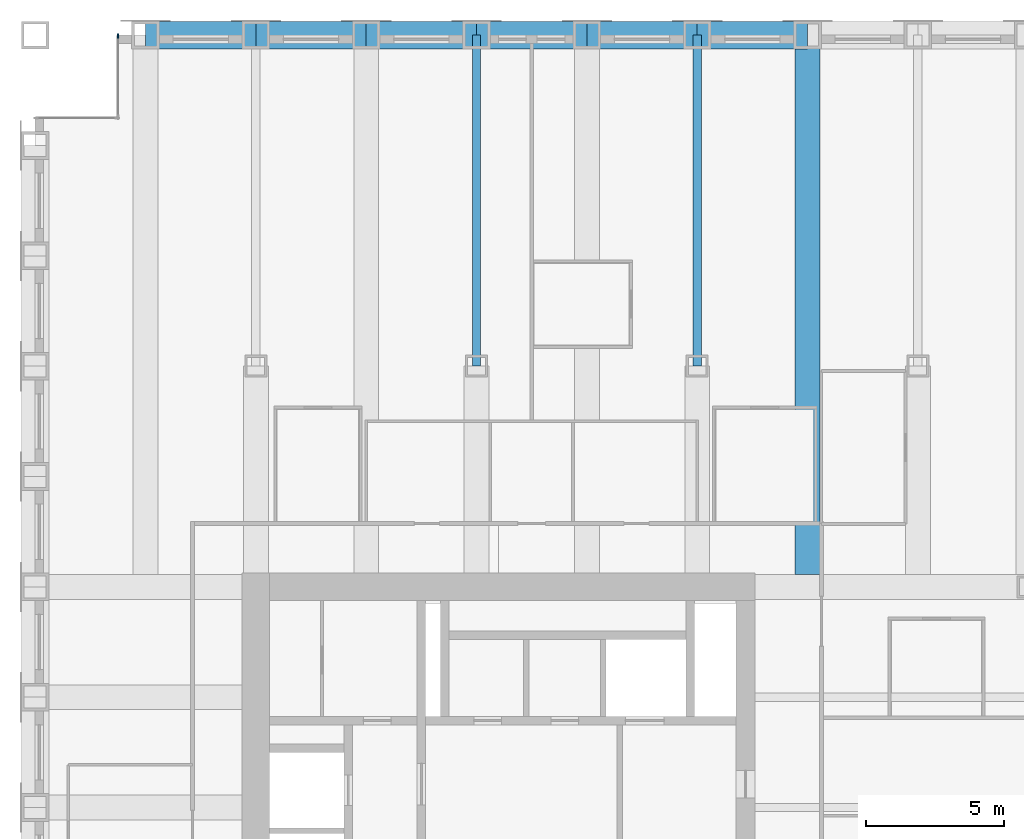
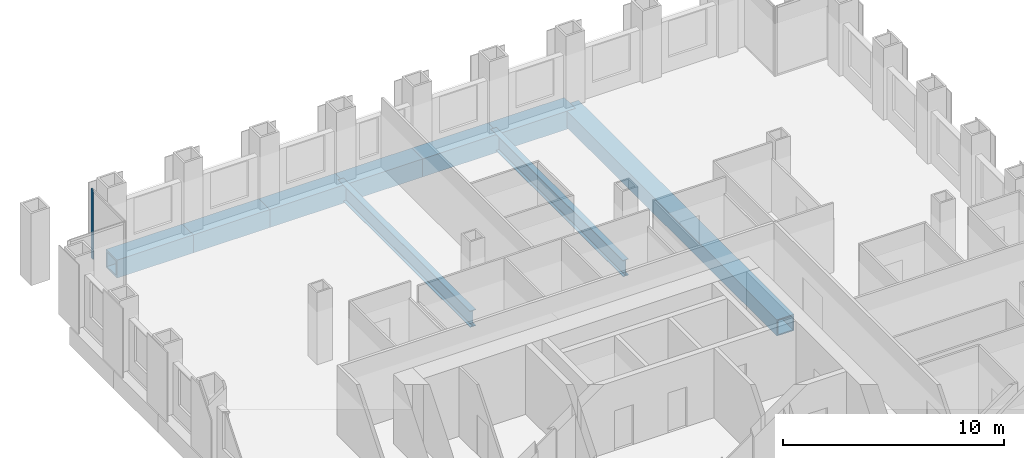
# One storey, part 6 of 14: 9 beams, 1 member, 1 element without a shape of its own.
"""IFC4 building model written with IfcOpenShell, lengths in metres."""

from ifc_helpers import new_model, si_unit, direction, frame, origin, origin_2d, place, context, subcontext, project, spatial, rectangle, hollow_rectangle, i_section, extrude, material, material_profile, profile_set, type_object, element, aggregate, save


model = new_model("IFC4")

# Units and contexts
model_context = context("Model", 3, precision=1e-05, world=origin(), true_north=direction((0.0, 1.0)))
body_context = subcontext(model_context, "Body", "Model", "MODEL_VIEW")
ifc_project = project(units=[si_unit("LENGTHUNIT", "METRE"), si_unit("AREAUNIT", "SQUARE_METRE"), si_unit("VOLUMEUNIT", "CUBIC_METRE"), si_unit("PLANEANGLEUNIT", "RADIAN"), si_unit("MASSUNIT", "GRAM", prefix="KILO")], contexts=[model_context])

# Site, building, storey
site_placement = place(None, origin())
site = spatial("IfcSite", under=ifc_project, at=site_placement, CompositionType="ELEMENT")
building_placement = place(site_placement, origin())
building = spatial("IfcBuilding", under=site, at=building_placement, Name="Rimbunsela Tower", CompositionType="ELEMENT")
storey_placement = place(building_placement, frame((0.0, 0.0, 226.199951171875)))
storey = spatial("IfcBuildingStorey", under=building, at=storey_placement, Name="L54", CompositionType="ELEMENT", Elevation=226.199951171875)

# Beams
ifc_material_1 = material(Name="Steel BJ 55 (fy 410 MPa)", Category="steel")
ifc_material_profile_1 = material_profile(ifc_material_1, hollow_rectangle(XDim=1.0, YDim=1.0, WallThickness=0.10009765625, at=origin_2d()), Name="BOX 1000x1000x100")
ifc_profile_set_1 = profile_set([ifc_material_profile_1], Name="Steel BJ 55 (fy 410 MPa)")
beam_type_1 = type_object("IfcBeamType", Name="Beam BOX 1000x1000x100", PredefinedType="BEAM", material=ifc_profile_set_1)
for number, where, z_axis, x_axis, name in (
    (1, (14.0, 56.0, -0.64990234375), (1.0, 0.0, 0.0), (0.0, 1.0, 0.0), "Beam B3 L54"),
    (2, (18.0, 56.0, -0.64990234375), (1.0, 0.0, 0.0), (0.0, 1.0, 0.0), "Beam B3 L54"),
    (3, (22.0, 56.0, -0.64990234375), (1.0, 0.0, 0.0), (0.0, 1.0, 0.0), "Beam B3 L54"),
    (4, (26.0, 56.0, -0.64990234375), (1.0, 0.0, 0.0), (0.0, 1.0, 0.0), "Beam B3 L54"),
    (5, (30.0, 56.0, -0.64990234375), (1.0, 0.0, 0.0), (0.0, 1.0, 0.0), "Beam B3 L54"),
    (6, (34.0, 56.0, -0.64990234375), (1.0, 0.0, 0.0), (0.0, 1.0, 0.0), "Beam B3 L54"),
):
    element("IfcBeam", number, at=place(storey_placement, frame(where, z_axis=z_axis, x_axis=x_axis)), inside=storey, type_object=beam_type_1, Name=name, PredefinedType="BEAM", context=body_context, shape_type="SweptSolid", body=[
        extrude(hollow_rectangle(XDim=1.0, YDim=1.0, WallThickness=0.10009765625, at=origin_2d()), origin(), (0.0, 0.0, 1.0), 4.0),
    ])
ifc_material_2 = material(Name="Steel BJ 55 (fy 410 MPa)", Category="steel")
ifc_material_profile_2 = material_profile(ifc_material_2, hollow_rectangle(XDim=0.89990234375, YDim=0.89990234375, WallThickness=0.06005859375, at=origin_2d()), Name="BOX 900x900x60")
ifc_profile_set_2 = profile_set([ifc_material_profile_2], Name="Steel BJ 55 (fy 410 MPa)")
beam_type_2 = type_object("IfcBeamType", Name="Beam BOX 900x900x60", PredefinedType="BEAM", material=ifc_profile_set_2)
beam_placement = place(storey_placement, frame((38.0, 36.449951171875, -0.599853515625), z_axis=(0.0, 1.0, 0.0), x_axis=(-1.0, 0.0, 0.0)))
element("IfcBeam", 7, at=beam_placement, inside=storey, type_object=beam_type_2, Name="Beam B1 L54", PredefinedType="BEAM", context=body_context, shape_type="SweptSolid", body=[
    extrude(hollow_rectangle(XDim=0.89990234375, YDim=0.89990234375, WallThickness=0.06005859375, at=origin_2d()), origin(), (0.0, 0.0, 1.0), 19.550048828125),
])
ifc_material_3 = material(Name="Steel BJ 55 (fy 410 MPa)", Category="steel")
ifc_material_profile_3 = material_profile(ifc_material_3, i_section(OverallWidth=0.300048828125, OverallDepth=0.89990234375, WebThickness=0.01611328125, FlangeThickness=0.028076171875, FilletRadius=0.028076171875, at=origin_2d()), Name="H 900x300x16x28")
ifc_profile_set_3 = profile_set([ifc_material_profile_3], Name="Steel BJ 55 (fy 410 MPa)")
beam_type_3 = type_object("IfcBeamType", Name="Beam H 900x300x16x28", PredefinedType="BEAM", material=ifc_profile_set_3)
for number, where, z_axis, x_axis, name in (
    (8, (26.0, 44.0, -0.599853515625), (0.0, 1.0, 0.0), (-1.0, 0.0, 0.0), "Beam B2 L54"),
    (9, (34.0, 44.0, -0.599853515625), (0.0, 1.0, 0.0), (-1.0, 0.0, 0.0), "Beam B2 L54"),
):
    element("IfcBeam", number, at=place(storey_placement, frame(where, z_axis=z_axis, x_axis=x_axis)), inside=storey, type_object=beam_type_3, Name=name, PredefinedType="BEAM", context=body_context, shape_type="SweptSolid", body=[
        extrude(i_section(OverallWidth=0.300048828125, OverallDepth=0.89990234375, WebThickness=0.01611328125, FlangeThickness=0.028076171875, FilletRadius=0.028076171875, at=origin_2d()), origin(), (0.0, 0.0, 1.0), 12.0),
    ])

# Curtain wall, member
ifc_material_4 = material(Name="Aluminium curtain wall", Category="aluminium")
curtain_wall_type = type_object("IfcCurtainWallType", Name="Corner glazing", PredefinedType="USERDEFINED", material=ifc_material_4)
curtain_wall_placement = place(storey_placement, origin())
curtain_wall = element("IfcCurtainWall", 10, at=curtain_wall_placement, inside=storey, type_object=curtain_wall_type, Name="Corner glazing L54", ObjectType="CORNER GLAZING", PredefinedType="USERDEFINED")
ifc_material_5 = material(Name="Aluminium mullion", Category="aluminium")
ifc_material_profile_4 = material_profile(ifc_material_5, rectangle(XDim=0.06005859375, YDim=0.159912109375, at=origin_2d()), Name="Mullion 60x160")
ifc_profile_set_4 = profile_set([ifc_material_profile_4], Name="Aluminium mullion")
member_type = type_object("IfcMemberType", Name="Curtain wall mullion 60x160", PredefinedType="MULLION", material=ifc_profile_set_4)
member_placement = place(storey_placement, frame((13.0, 55.969970703125, 0.0), z_axis=(0.0, 0.0, 1.0), x_axis=(1.0, 0.0, 0.0)))
member = element("IfcMember", 11, at=member_placement, type_object=member_type, Name="CW5 mullion 1", PredefinedType="MULLION", context=body_context, shape_type="SweptSolid", body=[
    extrude(rectangle(XDim=0.06005859375, YDim=0.159912109375, at=origin_2d()), origin(), (0.0, 0.0, 1.0), 3.85009765625),
])
aggregate(curtain_wall, [member])

save(model, "model.ifc")
